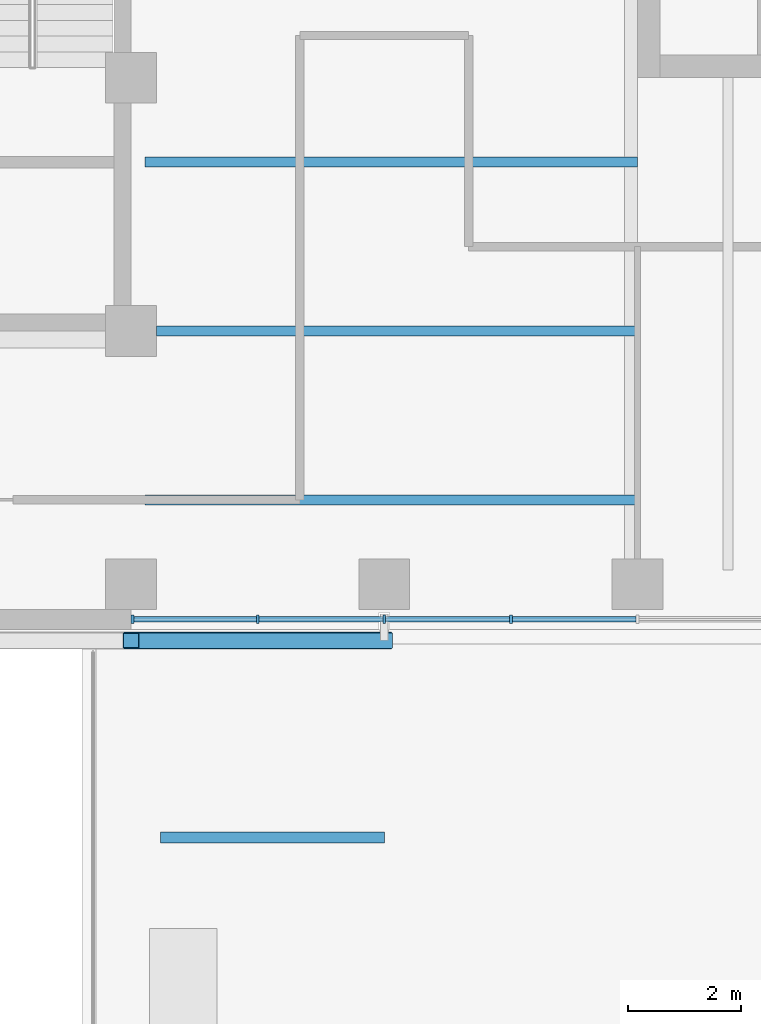
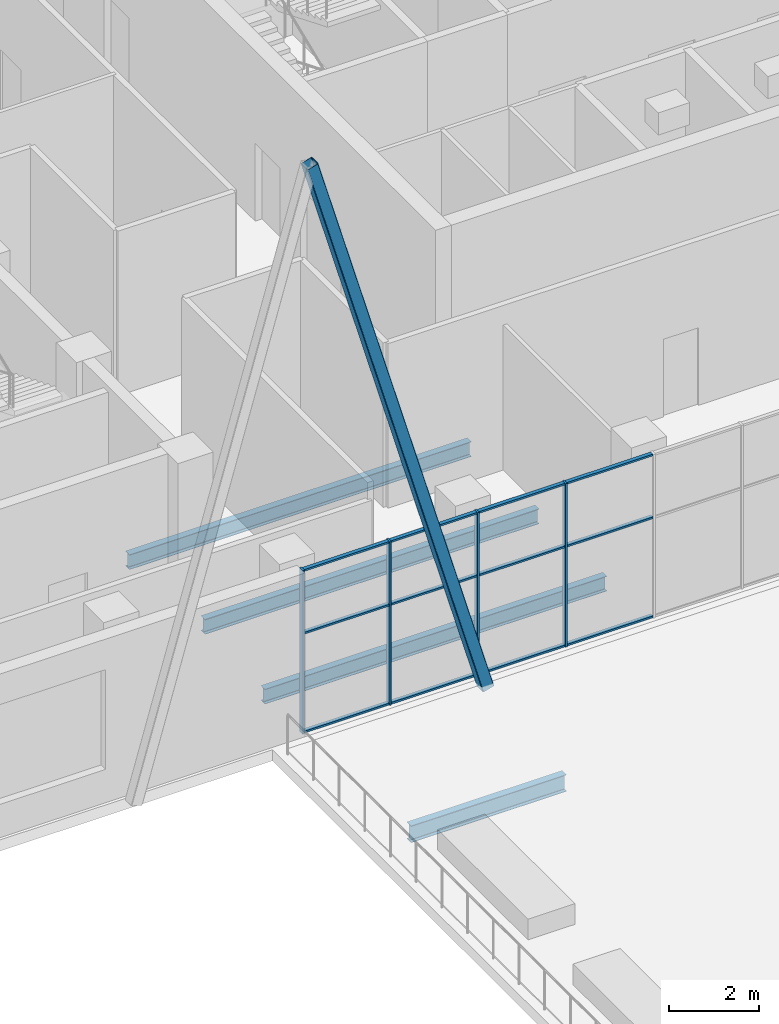
# One storey, part 2 of 14: 17 members, 4 beams, 1 element without a shape of its own.
"""IFC4 building model written with IfcOpenShell, lengths in metres."""

from ifc_helpers import new_model, si_unit, direction, frame, origin, origin_2d, place, context, subcontext, project, spatial, rectangle, hollow_rectangle, i_section, extrude, material, constituent, constituent_set, material_profile, profile_set, type_object, element, aggregate, save


model = new_model("IFC4")

# Units and contexts
model_context = context("Model", 3, precision=1e-05, world=origin(), true_north=direction((0.0, 1.0)))
body_context = subcontext(model_context, "Body", "Model", "MODEL_VIEW")
ifc_project = project(units=[si_unit("LENGTHUNIT", "METRE"), si_unit("AREAUNIT", "SQUARE_METRE"), si_unit("VOLUMEUNIT", "CUBIC_METRE"), si_unit("PLANEANGLEUNIT", "RADIAN"), si_unit("MASSUNIT", "GRAM", prefix="KILO")], contexts=[model_context])

# Site, building, storey
site_placement = place(None, origin())
site = spatial("IfcSite", under=ifc_project, at=site_placement, CompositionType="ELEMENT")
building_placement = place(site_placement, origin())
building = spatial("IfcBuilding", under=site, at=building_placement, Name="Quoin Convention Tower", CompositionType="ELEMENT")
storey_placement = place(building_placement, frame((0.0, 0.0, 143.10009765625)))
storey = spatial("IfcBuildingStorey", under=building, at=storey_placement, Name="L37", CompositionType="ELEMENT", Elevation=143.10009765625)

# Beams
ifc_material_1 = material(Name="Steel Grade 300", Category="steel")
ifc_material_profile_1 = material_profile(ifc_material_1, i_section(OverallWidth=0.177978515625, OverallDepth=0.403076171875, WebThickness=0.007568359375, FlangeThickness=0.010986328125, FilletRadius=0.011474609375, at=origin_2d()), Name="410UB53.7")
ifc_profile_set_1 = profile_set([ifc_material_profile_1], Name="Steel Grade 300")
beam_type_1 = type_object("IfcBeamType", Name="410UB53.7", PredefinedType="BEAM", material=ifc_profile_set_1)
beam_1_placement = place(storey_placement, frame((36.25, 42.0, -0.3515625), z_axis=(1.0, 0.0, 0.0), x_axis=(0.0, 1.0, 0.0)))
element("IfcBeam", 1, at=beam_1_placement, inside=storey, type_object=beam_type_1, Name="bm-L37-T1SW0", PredefinedType="BEAM", context=body_context, shape_type="SweptSolid", body=[
    extrude(i_section(OverallWidth=0.177978515625, OverallDepth=0.403076171875, WebThickness=0.007568359375, FlangeThickness=0.010986328125, FilletRadius=0.011474609375, at=origin_2d()), origin(), (0.0, 0.0, 1.0), 8.75),
])
beam_2_placement = place(storey_placement, frame((36.449951171875, 45.0, -0.3515625), z_axis=(1.0, 0.0, 0.0), x_axis=(0.0, 1.0, 0.0)))
element("IfcBeam", 2, at=beam_2_placement, inside=storey, type_object=beam_type_1, Name="bm-L37-T1SW1", PredefinedType="BEAM", context=body_context, shape_type="SweptSolid", body=[
    extrude(i_section(OverallWidth=0.177978515625, OverallDepth=0.403076171875, WebThickness=0.007568359375, FlangeThickness=0.010986328125, FilletRadius=0.011474609375, at=origin_2d()), origin(), (0.0, 0.0, 1.0), 8.550048828125),
])
beam_3_placement = place(storey_placement, frame((36.25, 48.0, -0.3515625), z_axis=(1.0, 0.0, 0.0), x_axis=(0.0, 1.0, 0.0)))
element("IfcBeam", 3, at=beam_3_placement, inside=storey, type_object=beam_type_1, Name="bm-L37-T1SW2", PredefinedType="BEAM", context=body_context, shape_type="SweptSolid", body=[
    extrude(i_section(OverallWidth=0.177978515625, OverallDepth=0.403076171875, WebThickness=0.007568359375, FlangeThickness=0.010986328125, FilletRadius=0.011474609375, at=origin_2d()), origin(), (0.0, 0.0, 1.0), 8.75),
])
ifc_material_profile_2 = material_profile(ifc_material_1, i_section(OverallWidth=0.18994140625, OverallDepth=0.4541015625, WebThickness=0.008544921875, FlangeThickness=0.0126953125, FilletRadius=0.011474609375, at=origin_2d()), Name="460UB67.1")
ifc_profile_set_2 = profile_set([ifc_material_profile_2], Name="Steel Grade 300")
beam_type_2 = type_object("IfcBeamType", Name="460UB67.1", PredefinedType="BEAM", material=ifc_profile_set_2)
beam_4_placement = place(storey_placement, frame((36.52490234375, 36.0, -0.527099609375), z_axis=(1.0, 0.0, 0.0), x_axis=(0.0, 1.0, 0.0)))
element("IfcBeam", 4, at=beam_4_placement, inside=storey, type_object=beam_type_2, Name="gir-L37-RT3-4-0", PredefinedType="BEAM", context=body_context, shape_type="SweptSolid", body=[
    extrude(i_section(OverallWidth=0.18994140625, OverallDepth=0.4541015625, WebThickness=0.008544921875, FlangeThickness=0.0126953125, FilletRadius=0.011474609375, at=origin_2d()), origin(), (0.0, 0.0, 1.0), 3.97509765625),
])

# Member
ifc_material_2 = material(Name="Steel C450L0", Category="steel")
ifc_material_profile_3 = material_profile(ifc_material_2, hollow_rectangle(XDim=0.300048828125, YDim=0.300048828125, WallThickness=0.012451171875, InnerFilletRadius=0.018798828125, OuterFilletRadius=0.03125, at=origin_2d()), Name="300x300x12.5SHS")
ifc_profile_set_3 = profile_set([ifc_material_profile_3], Name="Steel C450L0")
member_type_1 = type_object("IfcMemberType", Name="Exposed brace 300x300x12.5SHS", PredefinedType="BRACE", material=ifc_profile_set_3)
member_1_placement = place(storey_placement, frame((40.5, 39.5, -0.0751953125), z_axis=(-0.275526545915, 0.0, 0.961293463255), x_axis=(0.0, -1.0, 0.0)))
element("IfcMember", 5, at=member_1_placement, inside=storey, type_object=member_type_1, Name="brc-L37-36000_40500-40500_40500", PredefinedType="BRACE", context=body_context, shape_type="SweptSolid", body=[
    extrude(hollow_rectangle(XDim=0.300048828125, YDim=0.300048828125, WallThickness=0.012451171875, InnerFilletRadius=0.018798828125, OuterFilletRadius=0.03125, at=origin_2d()), origin(), (0.0, 0.0, 1.0), 16.332275390625),
])

# Curtain wall, members
ifc_material_3 = material(Name="Aluminium", Category="aluminium")
ifc_constituent_1 = constituent(ifc_material_3, Name="Frame")
ifc_material_4 = material(Name="Insulated glass", Category="glass")
ifc_constituent_2 = constituent(ifc_material_4, Name="Glazing")
ifc_constituent_set = constituent_set(constituents=[ifc_constituent_1, ifc_constituent_2], Name="Aluminium")
curtain_wall_type = type_object("IfcCurtainWallType", Name="Sky lobby glazing system", PredefinedType="NOTDEFINED", material=ifc_constituent_set)
curtain_wall_placement = place(storey_placement, origin())
curtain_wall = element("IfcCurtainWall", 6, at=curtain_wall_placement, inside=storey, type_object=curtain_wall_type, Name="cw-SKY-L37-36000_39875", PredefinedType="NOTDEFINED")
ifc_material_profile_4 = material_profile(ifc_material_3, rectangle(XDim=0.14990234375, YDim=0.050048828125, at=origin_2d()), Name="Sky lobby glazing mullion 50x150")
ifc_profile_set_4 = profile_set([ifc_material_profile_4], Name="Aluminium")
member_type_2 = type_object("IfcMemberType", Name="Sky lobby glazing mullion 50x150", PredefinedType="MULLION", material=ifc_profile_set_4)
member_2_placement = place(storey_placement, frame((36.02490234375, 39.875, 0.0), z_axis=(0.0, 0.0, 1.0), x_axis=(0.0, 1.0, 0.0)))
member_2 = element("IfcMember", 7, at=member_2_placement, type_object=member_type_2, Name="CW3 mullion 1", PredefinedType="MULLION", context=body_context, shape_type="SweptSolid", body=[
    extrude(rectangle(XDim=0.14990234375, YDim=0.050048828125, at=origin_2d()), origin(), (0.0, 0.0, 1.0), 4.4248046875),
])
member_3_placement = place(storey_placement, frame((38.25, 39.875, 0.0), z_axis=(0.0, 0.0, 1.0), x_axis=(0.0, 1.0, 0.0)))
member_3 = element("IfcMember", 8, at=member_3_placement, type_object=member_type_2, Name="CW3 mullion 2", PredefinedType="MULLION", context=body_context, shape_type="SweptSolid", body=[
    extrude(rectangle(XDim=0.14990234375, YDim=0.050048828125, at=origin_2d()), origin(), (0.0, 0.0, 1.0), 4.4248046875),
])
member_4_placement = place(storey_placement, frame((40.5, 39.875, 0.0), z_axis=(0.0, 0.0, 1.0), x_axis=(0.0, 1.0, 0.0)))
member_4 = element("IfcMember", 9, at=member_4_placement, type_object=member_type_2, Name="CW3 mullion 3", PredefinedType="MULLION", context=body_context, shape_type="SweptSolid", body=[
    extrude(rectangle(XDim=0.14990234375, YDim=0.050048828125, at=origin_2d()), origin(), (0.0, 0.0, 1.0), 4.4248046875),
])
member_5_placement = place(storey_placement, frame((42.75, 39.875, 0.0), z_axis=(0.0, 0.0, 1.0), x_axis=(0.0, 1.0, 0.0)))
member_5 = element("IfcMember", 10, at=member_5_placement, type_object=member_type_2, Name="CW3 mullion 4", PredefinedType="MULLION", context=body_context, shape_type="SweptSolid", body=[
    extrude(rectangle(XDim=0.14990234375, YDim=0.050048828125, at=origin_2d()), origin(), (0.0, 0.0, 1.0), 4.4248046875),
])
ifc_material_profile_5 = material_profile(ifc_material_3, rectangle(XDim=0.10009765625, YDim=0.050048828125, at=origin_2d()), Name="Sky lobby glazing transom 50x100")
ifc_profile_set_5 = profile_set([ifc_material_profile_5], Name="Aluminium")
member_type_3 = type_object("IfcMemberType", Name="Sky lobby glazing transom 50x100", PredefinedType="USERDEFINED", material=ifc_profile_set_5)
member_6_placement = place(storey_placement, frame((36.050048828125, 39.875, 0.02490234375), z_axis=(1.0, 0.0, 0.0), x_axis=(0.0, 1.0, 0.0)))
member_6 = element("IfcMember", 11, at=member_6_placement, type_object=member_type_3, Name="CW3 transom 1.1", ObjectType="TRANSOM", PredefinedType="USERDEFINED", context=body_context, shape_type="SweptSolid", body=[
    extrude(rectangle(XDim=0.10009765625, YDim=0.050048828125, at=origin_2d()), origin(), (0.0, 0.0, 1.0), 2.175048828125),
])
member_7_placement = place(storey_placement, frame((36.050048828125, 39.875, 2.699951171875), z_axis=(1.0, 0.0, 0.0), x_axis=(0.0, 1.0, 0.0)))
member_7 = element("IfcMember", 12, at=member_7_placement, type_object=member_type_3, Name="CW3 transom 1.2", ObjectType="TRANSOM", PredefinedType="USERDEFINED", context=body_context, shape_type="SweptSolid", body=[
    extrude(rectangle(XDim=0.10009765625, YDim=0.050048828125, at=origin_2d()), origin(), (0.0, 0.0, 1.0), 2.175048828125),
])
member_8_placement = place(storey_placement, frame((36.050048828125, 39.875, 4.39990234375), z_axis=(1.0, 0.0, 0.0), x_axis=(0.0, 1.0, 0.0)))
member_8 = element("IfcMember", 13, at=member_8_placement, type_object=member_type_3, Name="CW3 transom 1.3", ObjectType="TRANSOM", PredefinedType="USERDEFINED", context=body_context, shape_type="SweptSolid", body=[
    extrude(rectangle(XDim=0.10009765625, YDim=0.050048828125, at=origin_2d()), origin(), (0.0, 0.0, 1.0), 2.175048828125),
])
member_9_placement = place(storey_placement, frame((38.27490234375, 39.875, 0.02490234375), z_axis=(1.0, 0.0, 0.0), x_axis=(0.0, 1.0, 0.0)))
member_9 = element("IfcMember", 14, at=member_9_placement, type_object=member_type_3, Name="CW3 transom 2.1", ObjectType="TRANSOM", PredefinedType="USERDEFINED", context=body_context, shape_type="SweptSolid", body=[
    extrude(rectangle(XDim=0.10009765625, YDim=0.050048828125, at=origin_2d()), origin(), (0.0, 0.0, 1.0), 2.2001953125),
])
member_10_placement = place(storey_placement, frame((38.27490234375, 39.875, 2.699951171875), z_axis=(1.0, 0.0, 0.0), x_axis=(0.0, 1.0, 0.0)))
member_10 = element("IfcMember", 15, at=member_10_placement, type_object=member_type_3, Name="CW3 transom 2.2", ObjectType="TRANSOM", PredefinedType="USERDEFINED", context=body_context, shape_type="SweptSolid", body=[
    extrude(rectangle(XDim=0.10009765625, YDim=0.050048828125, at=origin_2d()), origin(), (0.0, 0.0, 1.0), 2.2001953125),
])
member_11_placement = place(storey_placement, frame((38.27490234375, 39.875, 4.39990234375), z_axis=(1.0, 0.0, 0.0), x_axis=(0.0, 1.0, 0.0)))
member_11 = element("IfcMember", 16, at=member_11_placement, type_object=member_type_3, Name="CW3 transom 2.3", ObjectType="TRANSOM", PredefinedType="USERDEFINED", context=body_context, shape_type="SweptSolid", body=[
    extrude(rectangle(XDim=0.10009765625, YDim=0.050048828125, at=origin_2d()), origin(), (0.0, 0.0, 1.0), 2.2001953125),
])
member_12_placement = place(storey_placement, frame((40.52490234375, 39.875, 0.02490234375), z_axis=(1.0, 0.0, 0.0), x_axis=(0.0, 1.0, 0.0)))
member_12 = element("IfcMember", 17, at=member_12_placement, type_object=member_type_3, Name="CW3 transom 3.1", ObjectType="TRANSOM", PredefinedType="USERDEFINED", context=body_context, shape_type="SweptSolid", body=[
    extrude(rectangle(XDim=0.10009765625, YDim=0.050048828125, at=origin_2d()), origin(), (0.0, 0.0, 1.0), 2.2001953125),
])
member_13_placement = place(storey_placement, frame((40.52490234375, 39.875, 2.699951171875), z_axis=(1.0, 0.0, 0.0), x_axis=(0.0, 1.0, 0.0)))
member_13 = element("IfcMember", 18, at=member_13_placement, type_object=member_type_3, Name="CW3 transom 3.2", ObjectType="TRANSOM", PredefinedType="USERDEFINED", context=body_context, shape_type="SweptSolid", body=[
    extrude(rectangle(XDim=0.10009765625, YDim=0.050048828125, at=origin_2d()), origin(), (0.0, 0.0, 1.0), 2.2001953125),
])
member_14_placement = place(storey_placement, frame((40.52490234375, 39.875, 4.39990234375), z_axis=(1.0, 0.0, 0.0), x_axis=(0.0, 1.0, 0.0)))
member_14 = element("IfcMember", 19, at=member_14_placement, type_object=member_type_3, Name="CW3 transom 3.3", ObjectType="TRANSOM", PredefinedType="USERDEFINED", context=body_context, shape_type="SweptSolid", body=[
    extrude(rectangle(XDim=0.10009765625, YDim=0.050048828125, at=origin_2d()), origin(), (0.0, 0.0, 1.0), 2.2001953125),
])
member_15_placement = place(storey_placement, frame((42.77490234375, 39.875, 0.02490234375), z_axis=(1.0, 0.0, 0.0), x_axis=(0.0, 1.0, 0.0)))
member_15 = element("IfcMember", 20, at=member_15_placement, type_object=member_type_3, Name="CW3 transom 4.1", ObjectType="TRANSOM", PredefinedType="USERDEFINED", context=body_context, shape_type="SweptSolid", body=[
    extrude(rectangle(XDim=0.10009765625, YDim=0.050048828125, at=origin_2d()), origin(), (0.0, 0.0, 1.0), 2.2001953125),
])
member_16_placement = place(storey_placement, frame((42.77490234375, 39.875, 2.699951171875), z_axis=(1.0, 0.0, 0.0), x_axis=(0.0, 1.0, 0.0)))
member_16 = element("IfcMember", 21, at=member_16_placement, type_object=member_type_3, Name="CW3 transom 4.2", ObjectType="TRANSOM", PredefinedType="USERDEFINED", context=body_context, shape_type="SweptSolid", body=[
    extrude(rectangle(XDim=0.10009765625, YDim=0.050048828125, at=origin_2d()), origin(), (0.0, 0.0, 1.0), 2.2001953125),
])
member_17_placement = place(storey_placement, frame((42.77490234375, 39.875, 4.39990234375), z_axis=(1.0, 0.0, 0.0), x_axis=(0.0, 1.0, 0.0)))
member_17 = element("IfcMember", 22, at=member_17_placement, type_object=member_type_3, Name="CW3 transom 4.3", ObjectType="TRANSOM", PredefinedType="USERDEFINED", context=body_context, shape_type="SweptSolid", body=[
    extrude(rectangle(XDim=0.10009765625, YDim=0.050048828125, at=origin_2d()), origin(), (0.0, 0.0, 1.0), 2.2001953125),
])
aggregate(curtain_wall, [member_2, member_3, member_4, member_5, member_6, member_7, member_8, member_9, member_10, member_11, member_12, member_13, member_14, member_15, member_16, member_17])

save(model, "model.ifc")
